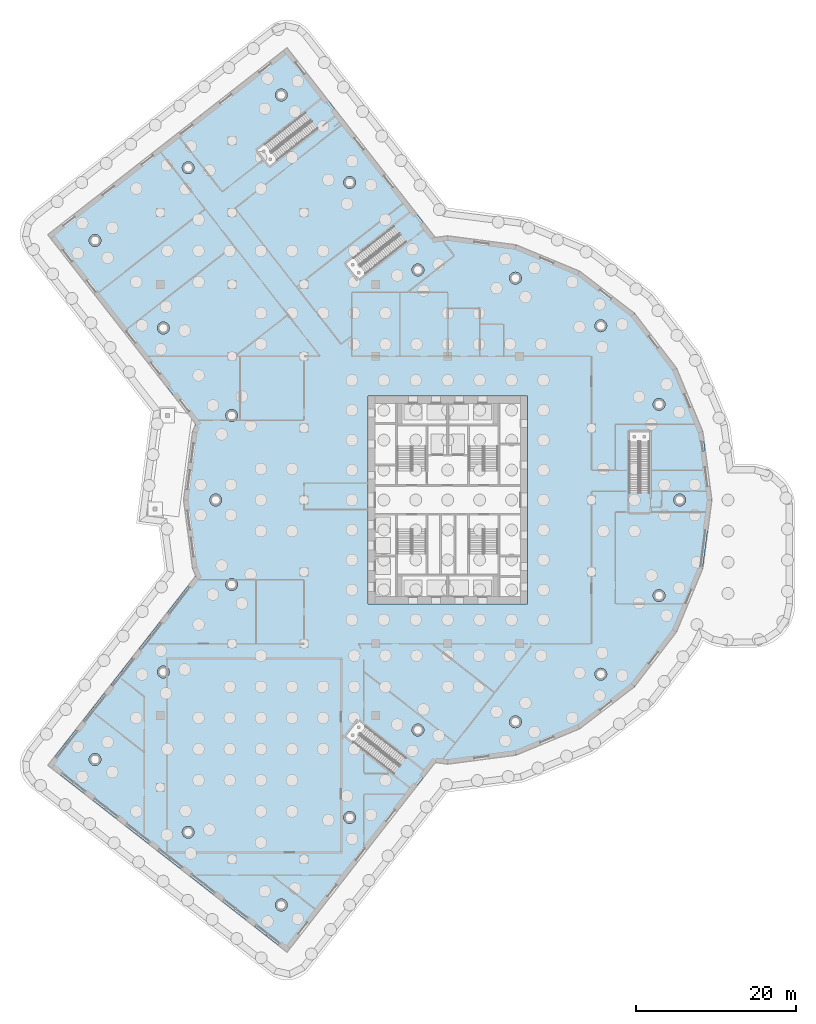
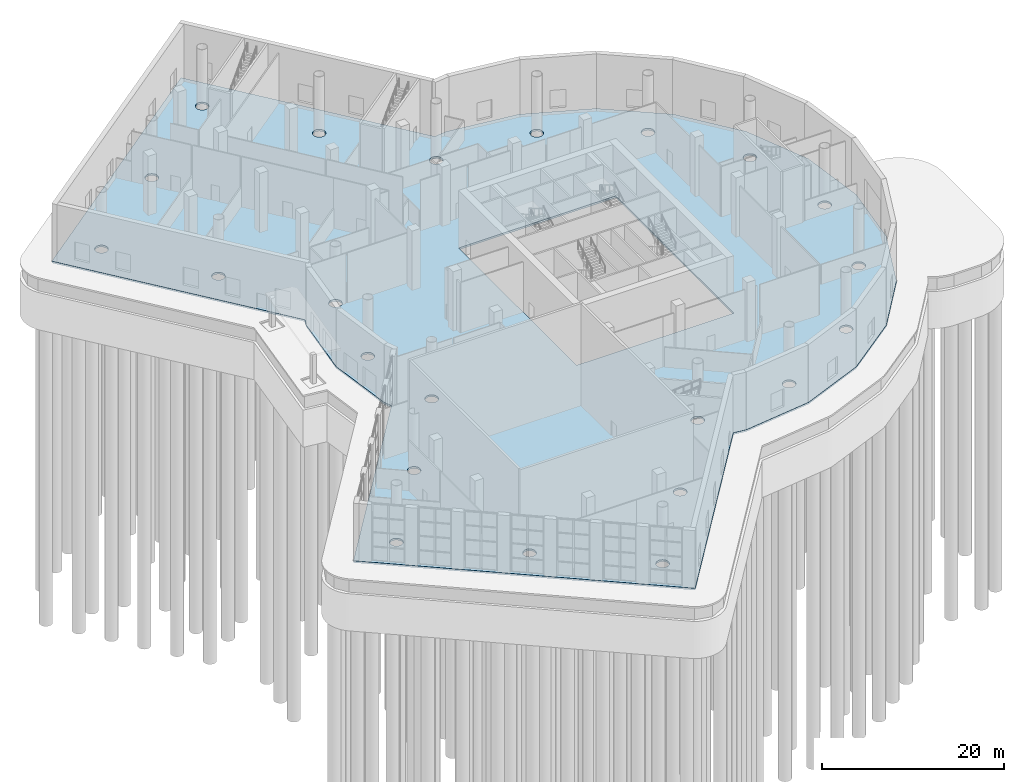
# One storey, part 9 of 34: 1 slab.
"""IFC4 building model written with IfcOpenShell, lengths in metres."""

import ifcopenshell
import ifcopenshell.guid

model = None  # the IFC model being written
_history = None  # IfcOwnerHistory: only IFC2X3 demands one
_inside = {}  # id of a spatial element -> (the spatial element, [elements in it])
_under = {}  # id of a project, library or spatial element -> (it, [spatial elements below it])
_declared = {}  # id of a project -> (the project, [libraries it declares])
_typed = {}  # id of a type object -> (the type object, [elements of that type])
_made_of = {}  # id of a material, layer set ... -> (it, [elements and type objects made of it])


def new_model(schema):
    """Start an empty IFC model of exactly this schema.

    Asked for "IFC4X3", IfcOpenShell would pick the latest addendum, in which some entities
    have other attributes; the version numbers below select the first issue.
    IFC2X3 requires an IfcOwnerHistory on every rooted entity: one is made here for all.
    """
    global model, _history
    if schema == "IFC4X3":
        model = ifcopenshell.file(schema_version=(4, 3, 0, 0))
    else:
        model = ifcopenshell.file(schema=schema)
    _inside.clear()
    _under.clear()
    _declared.clear()
    _typed.clear()
    _made_of.clear()
    _history = None
    if model.schema == "IFC2X3":
        org = make("IfcOrganization", Name="unknown")
        user = make(
            "IfcPersonAndOrganization",
            ThePerson=make("IfcPerson", FamilyName="unknown"),
            TheOrganization=org,
        )
        app = make(
            "IfcApplication",
            ApplicationDeveloper=org,
            Version="unknown",
            ApplicationFullName="unknown",
            ApplicationIdentifier="unknown",
        )
        _history = make(
            "IfcOwnerHistory",
            OwningUser=user,
            OwningApplication=app,
            ChangeAction="ADDED",
            CreationDate=0,
        )
    return model


def make(cls, **values):
    """One entity of the class cls with the attributes given. An attribute that is None is left unset."""
    return model.create_entity(
        cls, **{name: value for name, value in values.items() if value is not None}
    )


def rooted(cls, **values):
    """An entity with a GlobalId (a new one), such as an element, a storey or a relation."""
    return make(cls, GlobalId=ifcopenshell.guid.new(), OwnerHistory=_history, **values)


def si_unit(unit_type, name, prefix=None):
    """IfcSIUnit, for example si_unit("LENGTHUNIT", "METRE", prefix="MILLI")."""
    return make("IfcSIUnit", UnitType=unit_type, Prefix=prefix, Name=name)


def assignment(units):
    """IfcUnitAssignment: the units of a project."""
    return None if units is None else make("IfcUnitAssignment", Units=units)


def point(xyz):
    """IfcCartesianPoint."""
    return None if xyz is None else make("IfcCartesianPoint", Coordinates=xyz)


def direction(xyz):
    """IfcDirection."""
    return None if xyz is None else make("IfcDirection", DirectionRatios=xyz)


def frame(location, z_axis=None, x_axis=None):
    """IfcAxis2Placement3D, a coordinate frame: its origin and axes. An axis left out is left unset."""
    return make(
        "IfcAxis2Placement3D",
        Location=point(location),
        Axis=direction(z_axis),
        RefDirection=direction(x_axis),
    )


def origin():
    """The frame at (0, 0, 0) with its axes left unset."""
    return frame((0.0, 0.0, 0.0))


def place(relative_to, where):
    """IfcLocalPlacement: puts the frame where relative to a parent placement (None: the world)."""
    return make(
        "IfcLocalPlacement", PlacementRelTo=relative_to, RelativePlacement=where
    )


def context(
    kind, dimensions, precision=None, world=None, true_north=None, identifier=None
):
    """IfcGeometricRepresentationContext, for example the 3D "Model" context."""
    return make(
        "IfcGeometricRepresentationContext",
        ContextIdentifier=identifier,
        ContextType=kind,
        CoordinateSpaceDimension=dimensions,
        Precision=precision,
        WorldCoordinateSystem=world,
        TrueNorth=true_north,
    )


def subcontext(parent, identifier, kind, view, scale=None):
    """IfcGeometricRepresentationSubContext, for example "Body" below "Model"."""
    return make(
        "IfcGeometricRepresentationSubContext",
        ContextIdentifier=identifier,
        ContextType=kind,
        ParentContext=parent,
        TargetScale=scale,
        TargetView=view,
    )


def project(units=None, contexts=None):
    """IfcProject with its units and contexts."""
    return rooted(
        "IfcProject",
        Name="project",
        RepresentationContexts=contexts,
        UnitsInContext=assignment(units),
    )


def spatial(cls, under=None, at=None, **own):
    """A site, building, storey or space (cls), placed at a placement, below another one or the project."""
    s = rooted(cls, ObjectPlacement=at, **own)
    if under is not None:
        _under.setdefault(under.id(), (under, []))[1].append(s)
    return s


def polyline(points):
    """IfcPolyline through the points."""
    return make("IfcPolyline", Points=[point(p) for p in points])


def outline(outer, holes=None, kind="AREA"):
    """IfcArbitraryClosedProfileDef: a profile drawn as a closed curve; with holes, ...WithVoids."""
    if holes is None:
        return make("IfcArbitraryClosedProfileDef", ProfileType=kind, OuterCurve=outer)
    return make(
        "IfcArbitraryProfileDefWithVoids",
        ProfileType=kind,
        OuterCurve=outer,
        InnerCurves=holes,
    )


def extrude(swept, where, along, depth):
    """IfcExtrudedAreaSolid: the profile swept, set in the frame where, extruded along a direction by depth."""
    return make(
        "IfcExtrudedAreaSolid",
        SweptArea=swept,
        Position=where,
        ExtrudedDirection=direction(along),
        Depth=depth,
    )


def shape(context_of_items, identifier, shape_type, items):
    """IfcShapeRepresentation: the items that make up one representation, for example the "Body"."""
    return make(
        "IfcShapeRepresentation",
        ContextOfItems=context_of_items,
        RepresentationIdentifier=identifier,
        RepresentationType=shape_type,
        Items=items,
    )


def material(Name=None, Category=None):
    """IfcMaterial."""
    return make("IfcMaterial", Name=Name, Category=Category)


def layer(
    of_material, thickness, ventilated=None, Name=None, Category=None, Priority=None
):
    """IfcMaterialLayer: one layer of a wall or slab, of a material (None: an air gap)."""
    return make(
        "IfcMaterialLayer",
        Material=of_material,
        LayerThickness=thickness,
        IsVentilated=ventilated,
        Name=Name,
        Category=Category,
        Priority=Priority,
    )


def layer_set(layers, Name=None):
    """IfcMaterialLayerSet."""
    return make("IfcMaterialLayerSet", MaterialLayers=layers, LayerSetName=Name)


def made_of(thing, what):
    """Note that an element or type object is made of a material, layer set ...; save() writes the relation."""
    if what is not None:
        _made_of.setdefault(what.id(), (what, []))[1].append(thing)
    return thing


def type_object(cls, material=None, **own):
    """A type object (cls), such as IfcWallType, which elements share."""
    return made_of(rooted(cls, **own), material)


def element(
    cls,
    number,
    at=None,
    inside=None,
    cuts=None,
    type_object=None,
    material=None,
    context=None,
    identifier="Body",
    shape_type=None,
    held_by="IfcProductDefinitionShape",
    body=None,
    shapes=None,
    **own,
):
    """One element of the class cls, such as IfcWall. Its Tag is "e" and its number.

    at: its placement. inside: the storey or other place that contains it. cuts: it is an
    opening in that element (IfcRelVoidsElement). A single representation is given by context,
    identifier, shape_type and body (its items); several are given by shapes. held_by: the class
    of the entity that holds the representations. save() writes the other relations.
    """
    e = rooted(cls, Tag="e%d" % number, ObjectPlacement=at, **own)
    if body is not None:
        shapes = [shape(context, identifier, shape_type, body)]
    if shapes is not None:
        e.Representation = make(held_by, Representations=shapes)
    if inside is not None:
        _inside.setdefault(inside.id(), (inside, []))[1].append(e)
    if cuts is not None:
        rooted(
            "IfcRelVoidsElement", RelatingBuildingElement=cuts, RelatedOpeningElement=e
        )
    if type_object is not None:
        _typed.setdefault(type_object.id(), (type_object, []))[1].append(e)
    return made_of(e, material)


def aggregate(whole, parts):
    """IfcRelAggregates: a whole, such as a stair, and the parts it consists of."""
    return rooted("IfcRelAggregates", RelatingObject=whole, RelatedObjects=parts)


def save(model, path):
    """Write the relations noted so far, then the file.

    IfcRelAggregates (storeys below a building ...), IfcRelContainedInSpatialStructure (elements
    in a storey), IfcRelDefinesByType, IfcRelAssociatesMaterial and IfcRelDeclares: one each for
    every whole, place, type object, material and project.
    """
    for whole, parts in _under.values():
        aggregate(whole, parts)
    for where, things in _inside.values():
        rooted(
            "IfcRelContainedInSpatialStructure",
            RelatedElements=things,
            RelatingStructure=where,
        )
    for kind, things in _typed.values():
        rooted("IfcRelDefinesByType", RelatedObjects=things, RelatingType=kind)
    for what, things in _made_of.values():
        rooted("IfcRelAssociatesMaterial", RelatedObjects=things, RelatingMaterial=what)
    for by, libraries in _declared.values():
        rooted("IfcRelDeclares", RelatingContext=by, RelatedDefinitions=libraries)
    model.write(path)


model = new_model("IFC4")

# Units and contexts
model_context = context("Model", 3, precision=1e-05, world=origin(), true_north=direction((0.0, 1.0)))
body_context = subcontext(model_context, "Body", "Model", "MODEL_VIEW")
ifc_project = project(units=[si_unit("LENGTHUNIT", "METRE"), si_unit("AREAUNIT", "SQUARE_METRE"), si_unit("VOLUMEUNIT", "CUBIC_METRE"), si_unit("PLANEANGLEUNIT", "RADIAN"), si_unit("MASSUNIT", "GRAM", prefix="KILO")], contexts=[model_context])

# Site, building, storey
site_placement = place(None, origin())
site = spatial("IfcSite", under=ifc_project, at=site_placement, CompositionType="ELEMENT")
building_placement = place(site_placement, origin())
building = spatial("IfcBuilding", under=site, at=building_placement, Name="Tarsis Ring Headquarters", CompositionType="ELEMENT")
storey_placement = place(building_placement, origin())
storey = spatial("IfcBuildingStorey", under=building, at=storey_placement, Name="L00", CompositionType="ELEMENT", Elevation=0.0)

# Slab
ifc_material = material(Name="Concrete C40/50", Category="concrete")
ifc_layer = layer(ifc_material, 0.25)
ifc_layer_set = layer_set([ifc_layer], Name="PO-S250G")
slab_type = type_object("IfcSlabType", Name="PO-S250G", PredefinedType="BASESLAB", material=ifc_layer_set)
slab_placement = place(storey_placement, frame((0.0, 0.0, -0.25)))
element("IfcSlab", 1, at=slab_placement, inside=storey, type_object=slab_type, Name="L00 podium floor slab", PredefinedType="BASESLAB", context=body_context, shape_type="SweptSolid", body=[
    extrude(outline(polyline([(-50.06494140625, 33.218994140625), (-31.539794921875, 9.508056640625), (-31.933837890625, 8.556640625), (-33.060302734375, 0.0), (-31.933837890625, -8.556640625), (-31.539794921875, -9.508056640625), (-50.06494140625, -33.218994140625), (-20.12060546875, -56.6142578125), (-1.55810546875, -32.855224609375), (0.0, -33.060302734375), (8.556640625, -31.933837890625), (16.5302734375, -28.631103515625), (23.377197265625, -23.377197265625), (28.631103515625, -16.5302734375), (31.933837890625, -8.556640625), (33.060302734375, 0.0), (31.933837890625, 8.556640625), (28.631103515625, 16.5302734375), (23.377197265625, 23.377197265625), (16.5302734375, 28.631103515625), (8.556640625, 31.933837890625), (0.0, 33.060302734375), (-1.55810546875, 32.855224609375), (-20.12060546875, 56.6142578125), (-50.06494140625, 33.218994140625)]), holes=[polyline([(-20.844482421875, -51.46875), (-21.03857421875, -51.443115234375), (-21.219482421875, -51.3681640625), (-21.374755859375, -51.2490234375), (-21.493896484375, -51.09375), (-21.56884765625, -50.912841796875), (-21.594482421875, -50.71875), (-21.56884765625, -50.524658203125), (-21.493896484375, -50.34375), (-21.374755859375, -50.1884765625), (-21.219482421875, -50.0693359375), (-21.03857421875, -49.994384765625), (-20.844482421875, -49.96875), (-20.650146484375, -49.994384765625), (-20.469482421875, -50.0693359375), (-20.31396484375, -50.1884765625), (-20.19482421875, -50.34375), (-20.119873046875, -50.524658203125), (-20.094482421875, -50.71875), (-20.119873046875, -50.912841796875), (-20.19482421875, -51.09375), (-20.31396484375, -51.2490234375), (-20.469482421875, -51.3681640625), (-20.650146484375, -51.443115234375), (-20.844482421875, -51.46875)]), polyline([(-32.5068359375, -42.35693359375), (-32.700927734375, -42.331298828125), (-32.8818359375, -42.256591796875), (-33.037353515625, -42.13720703125), (-33.156494140625, -41.98193359375), (-33.2314453125, -41.801025390625), (-33.2568359375, -41.60693359375), (-33.2314453125, -41.412841796875), (-33.156494140625, -41.23193359375), (-33.037353515625, -41.07666015625), (-32.8818359375, -40.95751953125), (-32.700927734375, -40.882568359375), (-32.5068359375, -40.85693359375), (-32.312744140625, -40.882568359375), (-32.1318359375, -40.95751953125), (-31.9765625, -41.07666015625), (-31.857421875, -41.23193359375), (-31.782470703125, -41.412841796875), (-31.7568359375, -41.60693359375), (-31.782470703125, -41.801025390625), (-31.857421875, -41.98193359375), (-31.9765625, -42.13720703125), (-32.1318359375, -42.256591796875), (-32.312744140625, -42.331298828125), (-32.5068359375, -42.35693359375)]), polyline([(-44.16943359375, -33.2451171875), (-44.363525390625, -33.2197265625), (-44.54443359375, -33.144775390625), (-44.69970703125, -33.025390625), (-44.819091796875, -32.8701171875), (-44.89404296875, -32.689208984375), (-44.91943359375, -32.4951171875), (-44.89404296875, -32.301025390625), (-44.819091796875, -32.1201171875), (-44.69970703125, -31.96484375), (-44.54443359375, -31.845703125), (-44.363525390625, -31.770751953125), (-44.16943359375, -31.7451171875), (-43.975341796875, -31.770751953125), (-43.79443359375, -31.845703125), (-43.63916015625, -31.96484375), (-43.52001953125, -32.1201171875), (-43.445068359375, -32.301025390625), (-43.41943359375, -32.4951171875), (-43.445068359375, -32.689208984375), (-43.52001953125, -32.8701171875), (-43.63916015625, -33.025390625), (-43.79443359375, -33.144775390625), (-43.975341796875, -33.2197265625), (-44.16943359375, -33.2451171875)]), polyline([(-35.804443359375, -22.264404296875), (-35.9853515625, -22.189697265625), (-36.140625, -22.0703125), (-36.260009765625, -21.9150390625), (-36.3349609375, -21.734130859375), (-36.3603515625, -21.5400390625), (-36.3349609375, -21.345947265625), (-36.260009765625, -21.1650390625), (-36.140625, -21.009765625), (-35.9853515625, -20.890625), (-35.804443359375, -20.815673828125), (-35.6103515625, -20.7900390625), (-35.416259765625, -20.815673828125), (-35.2353515625, -20.890625), (-35.080078125, -21.009765625), (-34.9609375, -21.1650390625), (-34.885986328125, -21.345947265625), (-34.8603515625, -21.5400390625), (-34.885986328125, -21.734130859375), (-34.9609375, -21.9150390625), (-35.080078125, -22.0703125), (-35.2353515625, -22.189697265625), (-35.416259765625, -22.264404296875), (-35.6103515625, -22.2900390625), (-35.804443359375, -22.264404296875)]), polyline([(-27.245361328125, -11.309326171875), (-27.42626953125, -11.234375), (-27.581787109375, -11.115234375), (-27.700927734375, -10.9599609375), (-27.77587890625, -10.779052734375), (-27.80126953125, -10.5849609375), (-27.77587890625, -10.390869140625), (-27.700927734375, -10.2099609375), (-27.581787109375, -10.0546875), (-27.42626953125, -9.935546875), (-27.245361328125, -9.860595703125), (-27.05126953125, -9.8349609375), (-26.857177734375, -9.860595703125), (-26.67626953125, -9.935546875), (-26.52099609375, -10.0546875), (-26.40185546875, -10.2099609375), (-26.326904296875, -10.390869140625), (-26.30126953125, -10.5849609375), (-26.326904296875, -10.779052734375), (-26.40185546875, -10.9599609375), (-26.52099609375, -11.115234375), (-26.67626953125, -11.234375), (-26.857177734375, -11.309326171875), (-27.05126953125, -11.3349609375), (-27.245361328125, -11.309326171875)]), polyline([(-29.048583984375, -0.75), (-29.24267578125, -0.724365234375), (-29.423583984375, -0.6494140625), (-29.578857421875, -0.5302734375), (-29.697998046875, -0.375), (-29.77294921875, -0.194091796875), (-29.798583984375, 0.0), (-29.77294921875, 0.194091796875), (-29.697998046875, 0.375), (-29.578857421875, 0.5302734375), (-29.423583984375, 0.6494140625), (-29.24267578125, 0.724365234375), (-29.048583984375, 0.75), (-28.8544921875, 0.724365234375), (-28.673583984375, 0.6494140625), (-28.51806640625, 0.5302734375), (-28.39892578125, 0.375), (-28.323974609375, 0.194091796875), (-28.298583984375, 0.0), (-28.323974609375, -0.194091796875), (-28.39892578125, -0.375), (-28.51806640625, -0.5302734375), (-28.673583984375, -0.6494140625), (-28.8544921875, -0.724365234375), (-29.048583984375, -0.75)]), polyline([(-27.245361328125, 9.860595703125), (-27.42626953125, 9.935546875), (-27.581787109375, 10.0546875), (-27.700927734375, 10.2099609375), (-27.77587890625, 10.390869140625), (-27.80126953125, 10.5849609375), (-27.77587890625, 10.779052734375), (-27.700927734375, 10.9599609375), (-27.581787109375, 11.115234375), (-27.42626953125, 11.234375), (-27.245361328125, 11.309326171875), (-27.05126953125, 11.3349609375), (-26.857177734375, 11.309326171875), (-26.67626953125, 11.234375), (-26.52099609375, 11.115234375), (-26.40185546875, 10.9599609375), (-26.326904296875, 10.779052734375), (-26.30126953125, 10.5849609375), (-26.326904296875, 10.390869140625), (-26.40185546875, 10.2099609375), (-26.52099609375, 10.0546875), (-26.67626953125, 9.935546875), (-26.857177734375, 9.860595703125), (-27.05126953125, 9.8349609375), (-27.245361328125, 9.860595703125)]), polyline([(-35.804443359375, 20.815673828125), (-35.9853515625, 20.890625), (-36.140625, 21.009765625), (-36.260009765625, 21.1650390625), (-36.3349609375, 21.345947265625), (-36.3603515625, 21.5400390625), (-36.3349609375, 21.734130859375), (-36.260009765625, 21.9150390625), (-36.140625, 22.0703125), (-35.9853515625, 22.189697265625), (-35.804443359375, 22.264404296875), (-35.6103515625, 22.2900390625), (-35.416259765625, 22.264404296875), (-35.2353515625, 22.189697265625), (-35.080078125, 22.0703125), (-34.9609375, 21.9150390625), (-34.885986328125, 21.734130859375), (-34.8603515625, 21.5400390625), (-34.885986328125, 21.345947265625), (-34.9609375, 21.1650390625), (-35.080078125, 21.009765625), (-35.2353515625, 20.890625), (-35.416259765625, 20.815673828125), (-35.6103515625, 20.7900390625), (-35.804443359375, 20.815673828125)]), polyline([(-44.16943359375, 31.7451171875), (-44.363525390625, 31.770751953125), (-44.54443359375, 31.845703125), (-44.69970703125, 31.96484375), (-44.819091796875, 32.1201171875), (-44.89404296875, 32.301025390625), (-44.91943359375, 32.4951171875), (-44.89404296875, 32.689208984375), (-44.819091796875, 32.8701171875), (-44.69970703125, 33.025390625), (-44.54443359375, 33.144775390625), (-44.363525390625, 33.2197265625), (-44.16943359375, 33.2451171875), (-43.975341796875, 33.2197265625), (-43.79443359375, 33.144775390625), (-43.63916015625, 33.025390625), (-43.52001953125, 32.8701171875), (-43.445068359375, 32.689208984375), (-43.41943359375, 32.4951171875), (-43.445068359375, 32.301025390625), (-43.52001953125, 32.1201171875), (-43.63916015625, 31.96484375), (-43.79443359375, 31.845703125), (-43.975341796875, 31.770751953125), (-44.16943359375, 31.7451171875)]), polyline([(-32.700927734375, 40.882568359375), (-32.8818359375, 40.95751953125), (-33.037353515625, 41.07666015625), (-33.156494140625, 41.23193359375), (-33.2314453125, 41.412841796875), (-33.2568359375, 41.60693359375), (-33.2314453125, 41.801025390625), (-33.156494140625, 41.98193359375), (-33.037353515625, 42.13720703125), (-32.8818359375, 42.256591796875), (-32.700927734375, 42.331298828125), (-32.5068359375, 42.35693359375), (-32.312744140625, 42.331298828125), (-32.1318359375, 42.256591796875), (-31.9765625, 42.13720703125), (-31.857421875, 41.98193359375), (-31.782470703125, 41.801025390625), (-31.7568359375, 41.60693359375), (-31.782470703125, 41.412841796875), (-31.857421875, 41.23193359375), (-31.9765625, 41.07666015625), (-32.1318359375, 40.95751953125), (-32.312744140625, 40.882568359375), (-32.5068359375, 40.85693359375), (-32.700927734375, 40.882568359375)]), polyline([(-21.03857421875, 49.994384765625), (-21.219482421875, 50.0693359375), (-21.374755859375, 50.1884765625), (-21.493896484375, 50.34375), (-21.56884765625, 50.524658203125), (-21.594482421875, 50.71875), (-21.56884765625, 50.912841796875), (-21.493896484375, 51.09375), (-21.374755859375, 51.2490234375), (-21.219482421875, 51.3681640625), (-21.03857421875, 51.443115234375), (-20.844482421875, 51.46875), (-20.650146484375, 51.443115234375), (-20.469482421875, 51.3681640625), (-20.31396484375, 51.2490234375), (-20.19482421875, 51.09375), (-20.119873046875, 50.912841796875), (-20.094482421875, 50.71875), (-20.119873046875, 50.524658203125), (-20.19482421875, 50.34375), (-20.31396484375, 50.1884765625), (-20.469482421875, 50.0693359375), (-20.650146484375, 49.994384765625), (-20.844482421875, 49.96875), (-21.03857421875, 49.994384765625)]), polyline([(-12.285400390625, -40.513671875), (-12.4794921875, -40.488037109375), (-12.660400390625, -40.4130859375), (-12.815673828125, -40.2939453125), (-12.934814453125, -40.138671875), (-13.009765625, -39.957763671875), (-13.035400390625, -39.763671875), (-13.009765625, -39.569580078125), (-12.934814453125, -39.388671875), (-12.815673828125, -39.2333984375), (-12.660400390625, -39.114013671875), (-12.4794921875, -39.039306640625), (-12.285400390625, -39.013671875), (-12.091064453125, -39.039306640625), (-11.910400390625, -39.114013671875), (-11.7548828125, -39.2333984375), (-11.6357421875, -39.388671875), (-11.560791015625, -39.569580078125), (-11.535400390625, -39.763671875), (-11.560791015625, -39.957763671875), (-11.6357421875, -40.138671875), (-11.7548828125, -40.2939453125), (-11.910400390625, -40.4130859375), (-12.091064453125, -40.488037109375), (-12.285400390625, -40.513671875)]), polyline([(-3.726318359375, -29.55859375), (-3.92041015625, -29.532958984375), (-4.101318359375, -29.4580078125), (-4.256591796875, -29.3388671875), (-4.375732421875, -29.18359375), (-4.45068359375, -29.002685546875), (-4.476318359375, -28.80859375), (-4.45068359375, -28.614501953125), (-4.375732421875, -28.43359375), (-4.256591796875, -28.2783203125), (-4.101318359375, -28.158935546875), (-3.92041015625, -28.083984375), (-3.726318359375, -28.05859375), (-3.5322265625, -28.083984375), (-3.351318359375, -28.158935546875), (-3.19580078125, -28.2783203125), (-3.07666015625, -28.43359375), (-3.001708984375, -28.614501953125), (-2.976318359375, -28.80859375), (-3.001708984375, -29.002685546875), (-3.07666015625, -29.18359375), (-3.19580078125, -29.3388671875), (-3.351318359375, -29.4580078125), (-3.5322265625, -29.532958984375), (-3.726318359375, -29.55859375)]), polyline([(8.479736328125, -28.533203125), (8.28564453125, -28.5078125), (8.104736328125, -28.432861328125), (7.94921875, -28.313720703125), (7.830078125, -28.158203125), (7.755126953125, -27.977294921875), (7.729736328125, -27.783203125), (7.755126953125, -27.589111328125), (7.830078125, -27.408203125), (7.94921875, -27.2529296875), (8.104736328125, -27.1337890625), (8.28564453125, -27.058837890625), (8.479736328125, -27.033203125), (8.673828125, -27.058837890625), (8.854736328125, -27.1337890625), (9.010009765625, -27.2529296875), (9.129150390625, -27.408203125), (9.2041015625, -27.589111328125), (9.229736328125, -27.783203125), (9.2041015625, -27.977294921875), (9.129150390625, -28.158203125), (9.010009765625, -28.313720703125), (8.854736328125, -28.432861328125), (8.673828125, -28.5078125), (8.479736328125, -28.533203125)]), polyline([(18.983642578125, -22.54248046875), (18.802734375, -22.467529296875), (18.6474609375, -22.348388671875), (18.5283203125, -22.193115234375), (18.453369140625, -22.01220703125), (18.427734375, -21.818115234375), (18.453369140625, -21.6240234375), (18.5283203125, -21.443115234375), (18.6474609375, -21.287841796875), (18.802734375, -21.16845703125), (18.983642578125, -21.09375), (19.177734375, -21.068115234375), (19.371826171875, -21.09375), (19.552734375, -21.16845703125), (19.7080078125, -21.287841796875), (19.827392578125, -21.443115234375), (19.90234375, -21.6240234375), (19.927734375, -21.818115234375), (19.90234375, -22.01220703125), (19.827392578125, -22.193115234375), (19.7080078125, -22.348388671875), (19.552734375, -22.467529296875), (19.371826171875, -22.54248046875), (19.177734375, -22.568115234375), (18.983642578125, -22.54248046875)]), polyline([(26.27197265625, -12.697998046875), (26.091064453125, -12.623046875), (25.935791015625, -12.50390625), (25.81640625, -12.3486328125), (25.74169921875, -12.167724609375), (25.716064453125, -11.9736328125), (25.74169921875, -11.779296875), (25.81640625, -11.5986328125), (25.935791015625, -11.443115234375), (26.091064453125, -11.323974609375), (26.27197265625, -11.2490234375), (26.466064453125, -11.2236328125), (26.66015625, -11.2490234375), (26.841064453125, -11.323974609375), (26.996337890625, -11.443115234375), (27.115478515625, -11.5986328125), (27.1904296875, -11.779296875), (27.216064453125, -11.9736328125), (27.1904296875, -12.167724609375), (27.115478515625, -12.3486328125), (26.996337890625, -12.50390625), (26.841064453125, -12.623046875), (26.66015625, -12.697998046875), (26.466064453125, -12.7236328125), (26.27197265625, -12.697998046875)]), polyline([(29.048583984375, -0.75), (28.8544921875, -0.724365234375), (28.673583984375, -0.6494140625), (28.51806640625, -0.5302734375), (28.39892578125, -0.375), (28.323974609375, -0.194091796875), (28.298583984375, 0.0), (28.323974609375, 0.194091796875), (28.39892578125, 0.375), (28.51806640625, 0.5302734375), (28.673583984375, 0.6494140625), (28.8544921875, 0.724365234375), (29.048583984375, 0.75), (29.24267578125, 0.724365234375), (29.423583984375, 0.6494140625), (29.578857421875, 0.5302734375), (29.697998046875, 0.375), (29.77294921875, 0.194091796875), (29.798583984375, 0.0), (29.77294921875, -0.194091796875), (29.697998046875, -0.375), (29.578857421875, -0.5302734375), (29.423583984375, -0.6494140625), (29.24267578125, -0.724365234375), (29.048583984375, -0.75)]), polyline([(26.27197265625, 11.2490234375), (26.091064453125, 11.323974609375), (25.935791015625, 11.443115234375), (25.81640625, 11.5986328125), (25.74169921875, 11.779296875), (25.716064453125, 11.9736328125), (25.74169921875, 12.167724609375), (25.81640625, 12.3486328125), (25.935791015625, 12.50390625), (26.091064453125, 12.623046875), (26.27197265625, 12.697998046875), (26.466064453125, 12.7236328125), (26.66015625, 12.697998046875), (26.841064453125, 12.623046875), (26.996337890625, 12.50390625), (27.115478515625, 12.3486328125), (27.1904296875, 12.167724609375), (27.216064453125, 11.9736328125), (27.1904296875, 11.779296875), (27.115478515625, 11.5986328125), (26.996337890625, 11.443115234375), (26.841064453125, 11.323974609375), (26.66015625, 11.2490234375), (26.466064453125, 11.2236328125), (26.27197265625, 11.2490234375)]), polyline([(18.983642578125, 21.09375), (18.802734375, 21.16845703125), (18.6474609375, 21.287841796875), (18.5283203125, 21.443115234375), (18.453369140625, 21.6240234375), (18.427734375, 21.818115234375), (18.453369140625, 22.01220703125), (18.5283203125, 22.193115234375), (18.6474609375, 22.348388671875), (18.802734375, 22.467529296875), (18.983642578125, 22.54248046875), (19.177734375, 22.568115234375), (19.371826171875, 22.54248046875), (19.552734375, 22.467529296875), (19.7080078125, 22.348388671875), (19.827392578125, 22.193115234375), (19.90234375, 22.01220703125), (19.927734375, 21.818115234375), (19.90234375, 21.6240234375), (19.827392578125, 21.443115234375), (19.7080078125, 21.287841796875), (19.552734375, 21.16845703125), (19.371826171875, 21.09375), (19.177734375, 21.068115234375), (18.983642578125, 21.09375)]), polyline([(8.479736328125, 27.033203125), (8.28564453125, 27.058837890625), (8.104736328125, 27.1337890625), (7.94921875, 27.2529296875), (7.830078125, 27.408203125), (7.755126953125, 27.589111328125), (7.729736328125, 27.783203125), (7.755126953125, 27.977294921875), (7.830078125, 28.158203125), (7.94921875, 28.313720703125), (8.104736328125, 28.432861328125), (8.28564453125, 28.5078125), (8.479736328125, 28.533203125), (8.673828125, 28.5078125), (8.854736328125, 28.432861328125), (9.010009765625, 28.313720703125), (9.129150390625, 28.158203125), (9.2041015625, 27.977294921875), (9.229736328125, 27.783203125), (9.2041015625, 27.589111328125), (9.129150390625, 27.408203125), (9.010009765625, 27.2529296875), (8.854736328125, 27.1337890625), (8.673828125, 27.058837890625), (8.479736328125, 27.033203125)]), polyline([(-3.92041015625, 28.083984375), (-4.101318359375, 28.158935546875), (-4.256591796875, 28.2783203125), (-4.375732421875, 28.43359375), (-4.45068359375, 28.614501953125), (-4.476318359375, 28.80859375), (-4.45068359375, 29.002685546875), (-4.375732421875, 29.18359375), (-4.256591796875, 29.3388671875), (-4.101318359375, 29.4580078125), (-3.92041015625, 29.532958984375), (-3.726318359375, 29.55859375), (-3.5322265625, 29.532958984375), (-3.351318359375, 29.4580078125), (-3.19580078125, 29.3388671875), (-3.07666015625, 29.18359375), (-3.001708984375, 29.002685546875), (-2.976318359375, 28.80859375), (-3.001708984375, 28.614501953125), (-3.07666015625, 28.43359375), (-3.19580078125, 28.2783203125), (-3.351318359375, 28.158935546875), (-3.5322265625, 28.083984375), (-3.726318359375, 28.05859375), (-3.92041015625, 28.083984375)]), polyline([(-12.4794921875, 39.039306640625), (-12.660400390625, 39.114013671875), (-12.815673828125, 39.2333984375), (-12.934814453125, 39.388671875), (-13.009765625, 39.569580078125), (-13.035400390625, 39.763671875), (-13.009765625, 39.957763671875), (-12.934814453125, 40.138671875), (-12.815673828125, 40.2939453125), (-12.660400390625, 40.4130859375), (-12.4794921875, 40.488037109375), (-12.285400390625, 40.513671875), (-12.091064453125, 40.488037109375), (-11.910400390625, 40.4130859375), (-11.7548828125, 40.2939453125), (-11.6357421875, 40.138671875), (-11.560791015625, 39.957763671875), (-11.535400390625, 39.763671875), (-11.560791015625, 39.569580078125), (-11.6357421875, 39.388671875), (-11.7548828125, 39.2333984375), (-11.910400390625, 39.114013671875), (-12.091064453125, 39.039306640625), (-12.285400390625, 39.013671875), (-12.4794921875, 39.039306640625)]), polyline([(10.0, -13.0), (10.0, 13.0), (-10.0, 13.0), (-10.0, -13.0), (10.0, -13.0)])]), origin(), (0.0, 0.0, 1.0), 0.25),
])

save(model, "model.ifc")
